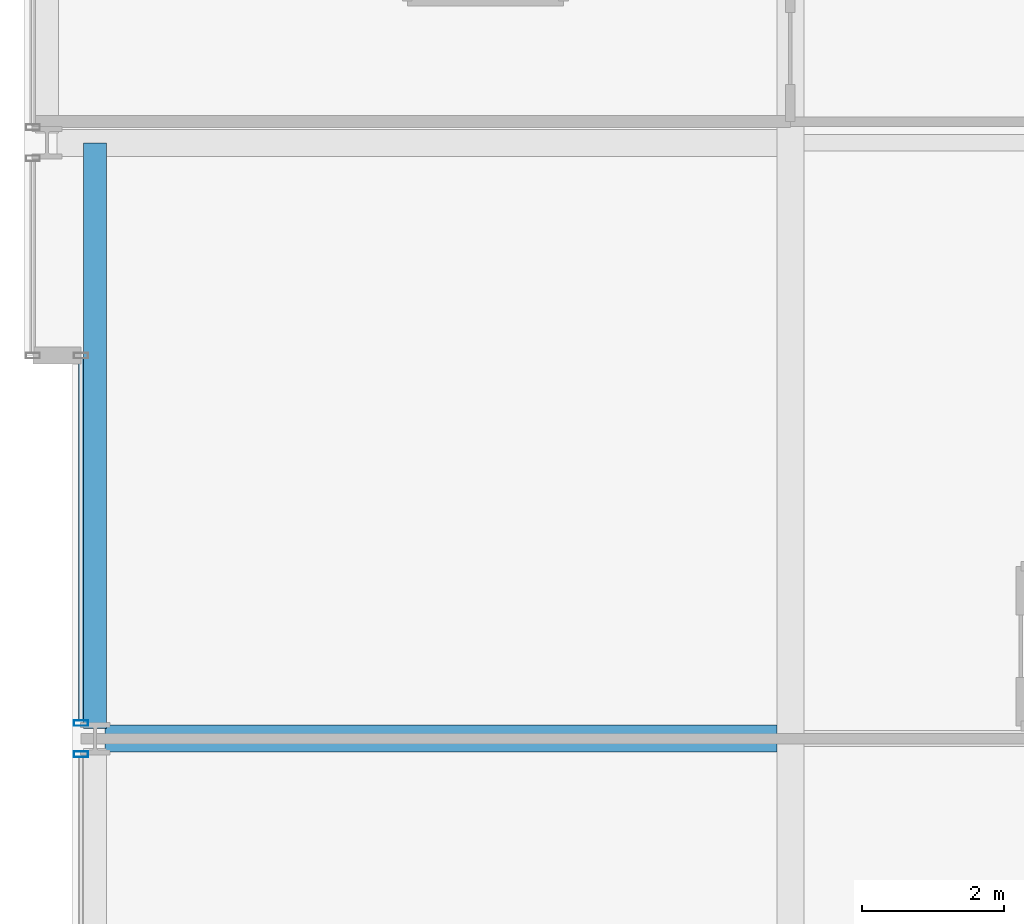
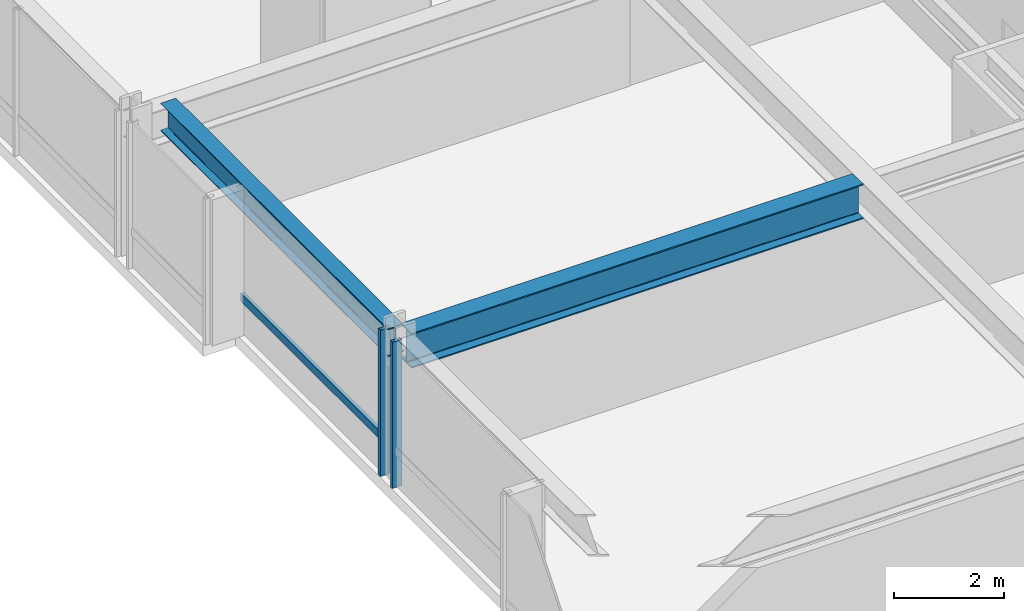
# One storey, part 9 of 34: 3 members, 2 beams, 2 elements without a shape of their own.
"""IFC4 building model written with IfcOpenShell, lengths in metres."""

from ifc_helpers import new_model, si_unit, direction, frame, origin, origin_2d, place, context, subcontext, project, spatial, hollow_rectangle, i_section, extrude, material, layer, layer_set, material_profile, profile_set, type_object, element, aggregate, save


model = new_model("IFC4")

# Units and contexts
model_context = context("Model", 3, precision=1e-05, world=origin(), true_north=direction((0.0, 1.0)))
body_context = subcontext(model_context, "Body", "Model", "MODEL_VIEW")
ifc_project = project(units=[si_unit("LENGTHUNIT", "METRE"), si_unit("AREAUNIT", "SQUARE_METRE"), si_unit("VOLUMEUNIT", "CUBIC_METRE"), si_unit("PLANEANGLEUNIT", "RADIAN"), si_unit("MASSUNIT", "GRAM", prefix="KILO")], contexts=[model_context])

# Site, building, storey
site_placement = place(None, origin())
site = spatial("IfcSite", under=ifc_project, at=site_placement, CompositionType="ELEMENT")
building_placement = place(site_placement, origin())
building = spatial("IfcBuilding", under=site, at=building_placement, Name="Drelvath Grand Hotel", CompositionType="ELEMENT")
storey_placement = place(building_placement, frame((0.0, 0.0, 91.800048828125)))
storey = spatial("IfcBuildingStorey", under=building, at=storey_placement, Name="L22", CompositionType="ELEMENT", Elevation=91.800048828125)

# Curtain wall, member
ifc_material_1 = material(Name="Champagne Bronze Anodised Aluminium Frame", Category="aluminium")
ifc_layer = layer(ifc_material_1, 0.199951171875)
ifc_layer_set = layer_set([ifc_layer], Name="Champagne Bronze Anodised Aluminium Frame")
curtain_wall_type = type_object("IfcCurtainWallType", Name="Stick Curtain Wall CW-03 Champagne Bronze Mid-Rise", PredefinedType="NOTDEFINED", material=ifc_layer_set)
curtain_wall_1_placement = place(storey_placement, origin())
curtain_wall_1 = element("IfcCurtainWall", 1, at=curtain_wall_1_placement, inside=storey, type_object=curtain_wall_type, Name="L22 CW-03 Curtain Wall CW03-L22-WM2", PredefinedType="NOTDEFINED")
ifc_material_profile_1 = material_profile(ifc_material_1, hollow_rectangle(XDim=0.074951171875, YDim=0.179931640625, WallThickness=0.0048828125, at=origin_2d()), Name="HSS180X75X5")
ifc_profile_set_1 = profile_set([ifc_material_profile_1], Name="Champagne Bronze Anodised Aluminium Frame")
member_type_1 = type_object("IfcMemberType", Name="Curtain Wall Horizontal Transom CW-03 HSS180X75X5", PredefinedType="USERDEFINED", material=ifc_profile_set_1)
member_1_placement = place(storey_placement, frame((-26.199951171875, 27.259521484375, 0.81005859375), z_axis=(0.0, 1.0, 0.0), x_axis=(-1.0, 0.0, 0.0)))
member_1 = element("IfcMember", 2, at=member_1_placement, type_object=member_type_1, Name="CW03-L22-WM2 Sill Transom", ObjectType="TRANSOM", PredefinedType="USERDEFINED", context=body_context, shape_type="SweptSolid", body=[
    extrude(hollow_rectangle(XDim=0.074951171875, YDim=0.179931640625, WallThickness=0.0048828125, at=origin_2d()), origin(), (0.0, 0.0, 1.0), 5.1005859375),
])

curtain_wall_2_placement = place(storey_placement, origin())
curtain_wall_2 = element("IfcCurtainWall", 3, at=curtain_wall_2_placement, inside=storey, type_object=curtain_wall_type, Name="L22 CW-03 Curtain Wall CW03-L22-WM1", PredefinedType="NOTDEFINED")
ifc_material_profile_2 = material_profile(ifc_material_1, hollow_rectangle(XDim=0.080078125, YDim=0.199951171875, WallThickness=0.0048828125, at=origin_2d()), Name="HSS200X80X5")
ifc_profile_set_2 = profile_set([ifc_material_profile_2], Name="Champagne Bronze Anodised Aluminium Frame")
member_type_2 = type_object("IfcMemberType", Name="Curtain Wall Vertical Mullion CW-03 HSS200X80X5", PredefinedType="MULLION", material=ifc_profile_set_2)
member_2_placement = place(storey_placement, frame((-26.199951171875, 26.780517578125, 0.0), z_axis=(0.0, 0.0, 1.0), x_axis=(0.0, 1.0, 0.0)))
member_2 = element("IfcMember", 4, at=member_2_placement, type_object=member_type_2, Name="CW03-L22-WM1 Mullion 2", PredefinedType="MULLION", context=body_context, shape_type="SweptSolid", body=[
    extrude(hollow_rectangle(XDim=0.080078125, YDim=0.199951171875, WallThickness=0.0048828125, at=origin_2d()), origin(), (0.0, 0.0, 1.0), 3.239990234375),
])
aggregate(curtain_wall_2, [member_2])

# Member
member_3_placement = place(storey_placement, frame((-26.199951171875, 27.219482421875, 0.0), z_axis=(0.0, 0.0, 1.0), x_axis=(0.0, 1.0, 0.0)))
member_3 = element("IfcMember", 5, at=member_3_placement, type_object=member_type_2, Name="CW03-L22-WM2 Mullion 1", PredefinedType="MULLION", context=body_context, shape_type="SweptSolid", body=[
    extrude(hollow_rectangle(XDim=0.080078125, YDim=0.199951171875, WallThickness=0.0048828125, at=origin_2d()), origin(), (0.0, 0.0, 1.0), 3.239990234375),
])

aggregate(curtain_wall_1, [member_3, member_1])

# Beams
ifc_material_2 = material(Name="Steel ASTM A992 Gr 50", Category="steel")
ifc_material_profile_3 = material_profile(ifc_material_2, i_section(OverallWidth=0.323974609375, OverallDepth=0.611083984375, WebThickness=0.0126953125, FlangeThickness=0.01904296875, FilletRadius=0.02197265625, at=origin_2d()), Name="W24X104")
ifc_profile_set_3 = profile_set([ifc_material_profile_3], Name="Steel ASTM A992 Gr 50")
beam_type_1 = type_object("IfcBeamType", Name="Perimeter Spandrel Beam W24X104", PredefinedType="SPANDREL", material=ifc_profile_set_3)
beam_1_placement = place(storey_placement, frame((-26.0, 27.139892578125, 2.9345703125), z_axis=(0.0, 1.0, 0.0), x_axis=(-1.0, 0.0, 0.0)))
element("IfcBeam", 6, at=beam_1_placement, inside=storey, type_object=beam_type_1, Name="L22 Spandrel West Mid N", PredefinedType="SPANDREL", context=body_context, shape_type="SweptSolid", body=[
    extrude(i_section(OverallWidth=0.323974609375, OverallDepth=0.611083984375, WebThickness=0.0126953125, FlangeThickness=0.01904296875, FilletRadius=0.02197265625, at=origin_2d()), origin(), (0.0, 0.0, 1.0), 8.260009765625),
])
ifc_material_profile_4 = material_profile(ifc_material_2, i_section(OverallWidth=0.380615234375, OverallDepth=0.773193359375, WebThickness=0.0166015625, FlangeThickness=0.027099609375, FilletRadius=0.02490234375, at=origin_2d()), Name="W30X173")
ifc_profile_set_4 = profile_set([ifc_material_profile_4], Name="Steel ASTM A992 Gr 50")
beam_type_2 = type_object("IfcBeamType", Name="Primary Floor Girder W30X173", PredefinedType="BEAM", material=ifc_profile_set_4)
beam_2_placement = place(storey_placement, frame((-25.860107421875, 27.0, 2.853271484375), z_axis=(1.0, 0.0, 0.0), x_axis=(0.0, 1.0, 0.0)))
element("IfcBeam", 7, at=beam_2_placement, inside=storey, type_object=beam_type_2, Name="L22 West Wing Girder E", PredefinedType="BEAM", context=body_context, shape_type="SweptSolid", body=[
    extrude(i_section(OverallWidth=0.380615234375, OverallDepth=0.773193359375, WebThickness=0.0166015625, FlangeThickness=0.027099609375, FilletRadius=0.02490234375, at=origin_2d()), origin(), (0.0, 0.0, 1.0), 9.4697265625),
])

save(model, "model.ifc")
